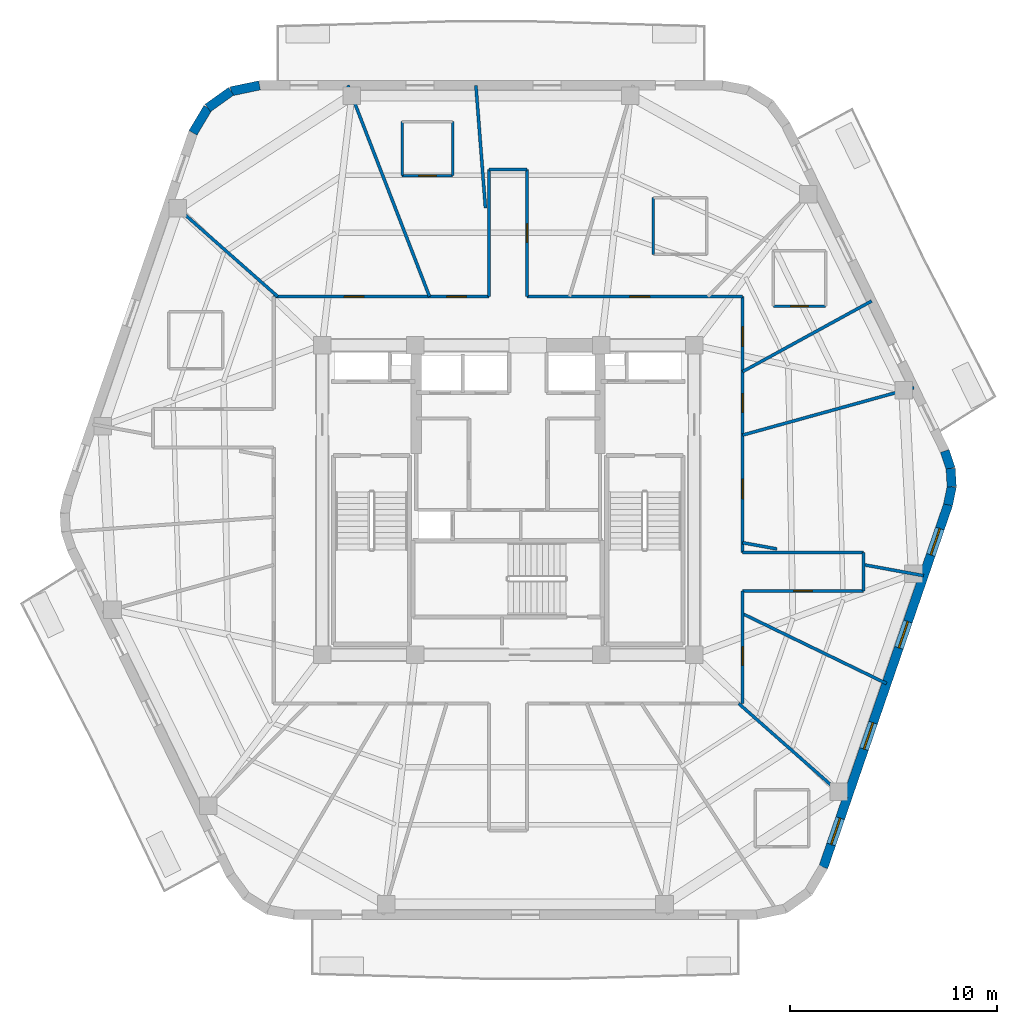
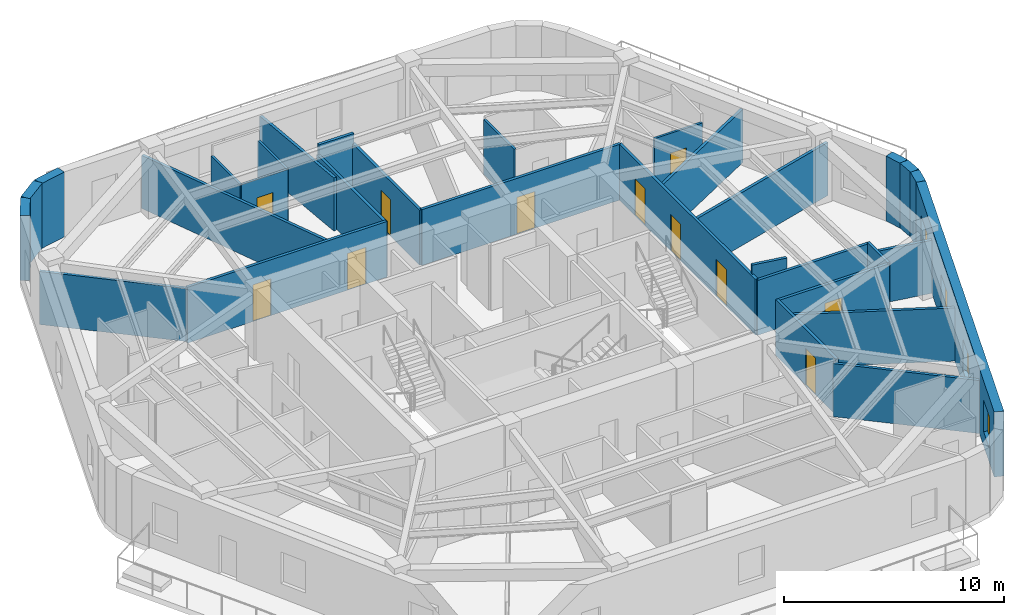
# One storey, part 5 of 9: 31 walls, 11 doors, 4 windows, 15 openings.
"""IFC4 building model written with IfcOpenShell, lengths in metres."""

from ifc_helpers import new_model, si_unit, direction, frame, frame_2d, origin, place, context, subcontext, project, spatial, rectangle, extrude, material, layer, layer_set, type_object, element, fill, save


model = new_model("IFC4")

# Units and contexts
model_context = context("Model", 3, precision=1e-05, world=origin(), true_north=direction((0.0, 1.0)))
body_context = subcontext(model_context, "Body", "Model", "MODEL_VIEW")
ifc_project = project(units=[si_unit("LENGTHUNIT", "METRE"), si_unit("AREAUNIT", "SQUARE_METRE"), si_unit("VOLUMEUNIT", "CUBIC_METRE"), si_unit("PLANEANGLEUNIT", "RADIAN"), si_unit("MASSUNIT", "GRAM", prefix="KILO")], contexts=[model_context])

# Site, building, storey
site_placement = place(None, origin())
site = spatial("IfcSite", under=ifc_project, at=site_placement, CompositionType="ELEMENT")
building_placement = place(site_placement, origin())
building = spatial("IfcBuilding", under=site, at=building_placement, Name="Kilnhurst Terrace Hotel", CompositionType="ELEMENT")
storey_placement = place(building_placement, frame((0.0, 0.0, 280.800048828125)))
storey = spatial("IfcBuildingStorey", under=building, at=storey_placement, Name="L70", CompositionType="ELEMENT", Elevation=280.800048828125)

# Walls
ifc_material_1 = material(Name="Precast concrete C40/50", Category="concrete")
ifc_layer_1 = layer(ifc_material_1, 0.449951171875, Name="Precast concrete C40/50")
ifc_layer_set_1 = layer_set([ifc_layer_1], Name="Precast concrete C40/50")
wall_type_1 = type_object("IfcWallType", Name="WL-BRK-450", PredefinedType="SOLIDWALL", material=ifc_layer_set_1)
wall_1_placement = place(storey_placement, frame((21.297607421875, -0.2333984375, 0.0), z_axis=(0.0, 0.0, 1.0), x_axis=(0.199158176661, 0.979967356941, 0.0)))
element("IfcWall", 1, at=wall_1_placement, inside=storey, type_object=wall_type_1, Name="L70 Rounded Corner Brick Wall C3.1", PredefinedType="SOLIDWALL", context=body_context, shape_type="SweptSolid", body=[
    extrude(rectangle(XDim=0.894775390625, YDim=0.449951171875, at=frame_2d((0.447265625, 0.0))), origin(), (0.0, 0.0, 1.0), 3.599853515625),
])
wall_2_placement = place(storey_placement, frame((21.475830078125, 0.6435546875, 0.0), z_axis=(0.0, 0.0, 1.0), x_axis=(-0.061031097918, 0.998135865044, 0.0)))
element("IfcWall", 2, at=wall_2_placement, inside=storey, type_object=wall_type_1, Name="L70 Rounded Corner Brick Wall C3.2", PredefinedType="SOLIDWALL", context=body_context, shape_type="SweptSolid", body=[
    extrude(rectangle(XDim=0.880126953125, YDim=0.449951171875, at=frame_2d((0.43994140625, 0.0))), origin(), (0.0, 0.0, 1.0), 3.599853515625),
])
wall_3_placement = place(storey_placement, frame((21.422119140625, 1.52197265625, 0.0), z_axis=(0.0, 0.0, 1.0), x_axis=(-0.316964162323, 0.94843751497, 0.0)))
element("IfcWall", 3, at=wall_3_placement, inside=storey, type_object=wall_type_1, Name="L70 Rounded Corner Brick Wall C3.3", PredefinedType="SOLIDWALL", context=body_context, shape_type="SweptSolid", body=[
    extrude(rectangle(XDim=0.89501953125, YDim=0.449951171875, at=frame_2d((0.447509765625, 0.0))), origin(), (0.0, 0.0, 1.0), 3.599853515625),
])
wall_4_placement = place(storey_placement, frame((-12.038330078125, 20.074951171875, 0.0), z_axis=(0.0, 0.0, 1.0), x_axis=(-0.978750122553, -0.205056571711, 0.0)))
element("IfcWall", 4, at=wall_4_placement, inside=storey, type_object=wall_type_1, Name="L70 Rounded Corner Brick Wall C5.1", PredefinedType="SOLIDWALL", context=body_context, shape_type="SweptSolid", body=[
    extrude(rectangle(XDim=1.406005859375, YDim=0.449951171875, at=frame_2d((0.703125, 0.0))), origin(), (0.0, 0.0, 1.0), 3.599853515625),
])
wall_5_placement = place(storey_placement, frame((-13.41455078125, 19.78662109375, 0.0), z_axis=(0.0, 0.0, 1.0), x_axis=(-0.814055493997, -0.580787097561, 0.0)))
element("IfcWall", 5, at=wall_5_placement, inside=storey, type_object=wall_type_1, Name="L70 Rounded Corner Brick Wall C5.2", PredefinedType="SOLIDWALL", context=body_context, shape_type="SweptSolid", body=[
    extrude(rectangle(XDim=1.382568359375, YDim=0.449951171875, at=frame_2d((0.69140625, 0.0))), origin(), (0.0, 0.0, 1.0), 3.599853515625),
])
wall_6_placement = place(storey_placement, frame((-14.5400390625, 18.983642578125, 0.0), z_axis=(0.0, 0.0, 1.0), x_axis=(-0.512374906623, -0.858761873317, 0.0)))
element("IfcWall", 6, at=wall_6_placement, inside=storey, type_object=wall_type_1, Name="L70 Rounded Corner Brick Wall C5.3", PredefinedType="SOLIDWALL", context=body_context, shape_type="SweptSolid", body=[
    extrude(rectangle(XDim=1.406005859375, YDim=0.449951171875, at=frame_2d((0.703125, 0.0))), origin(), (0.0, 0.0, 1.0), 3.599853515625),
])

# Wall, openings, windows
wall_7_placement = place(storey_placement, frame((15.260498046875, -17.776123046875, 0.0), z_axis=(0.0, 0.0, 1.0), x_axis=(0.325407437101, 0.945573899745, 0.0)))
wall_7 = element("IfcWall", 7, at=wall_7_placement, inside=storey, type_object=wall_type_1, Name="L70 Exterior Brick Facade Wall F2", PredefinedType="SOLIDWALL", context=body_context, shape_type="SweptSolid", body=[
    extrude(rectangle(XDim=18.552490234375, YDim=0.449951171875, at=frame_2d((9.2763671875, 0.0))), origin(), (0.0, 0.0, 1.0), 3.599853515625),
])
opening_1_placement = place(wall_7_placement, frame((1.160888671875, 0.0, 0.800048828125)))
opening_1 = element("IfcOpeningElement", 8, at=opening_1_placement, cuts=wall_7, Name="Opening W-06", PredefinedType="OPENING", context=body_context, shape_type="SweptSolid", body=[
    extrude(rectangle(XDim=1.35009765625, YDim=1.75, at=frame_2d((0.675048828125, 0.875))), frame((0.0, 0.23486328125, 0.0), z_axis=(0.0, -1.0, 0.0), x_axis=(1.0, 0.0, 0.0)), (0.0, 0.0, 1.0), 0.469970703125),
])
opening_2_placement = place(wall_7_placement, frame((6.0458984375, 0.0, 0.800048828125)))
opening_2 = element("IfcOpeningElement", 9, at=opening_2_placement, cuts=wall_7, Name="Opening W-06", PredefinedType="OPENING", context=body_context, shape_type="SweptSolid", body=[
    extrude(rectangle(XDim=1.35009765625, YDim=1.75, at=frame_2d((0.675048828125, 0.875))), frame((0.0, 0.23486328125, 0.0), z_axis=(0.0, -1.0, 0.0), x_axis=(1.0, 0.0, 0.0)), (0.0, 0.0, 1.0), 0.469970703125),
])
opening_3_placement = place(wall_7_placement, frame((11.22802734375, 0.0, 0.800048828125)))
opening_3 = element("IfcOpeningElement", 10, at=opening_3_placement, cuts=wall_7, Name="Opening W-06", PredefinedType="OPENING", context=body_context, shape_type="SweptSolid", body=[
    extrude(rectangle(XDim=1.35009765625, YDim=1.75, at=frame_2d((0.675048828125, 0.875))), frame((0.0, 0.23486328125, 0.0), z_axis=(0.0, -1.0, 0.0), x_axis=(1.0, 0.0, 0.0)), (0.0, 0.0, 1.0), 0.469970703125),
])
opening_4_placement = place(wall_7_placement, frame((15.987060546875, 0.0, 0.800048828125)))
opening_4 = element("IfcOpeningElement", 11, at=opening_4_placement, cuts=wall_7, Name="Opening W-06", PredefinedType="OPENING", context=body_context, shape_type="SweptSolid", body=[
    extrude(rectangle(XDim=1.35009765625, YDim=1.75, at=frame_2d((0.675048828125, 0.875))), frame((0.0, 0.23486328125, 0.0), z_axis=(0.0, -1.0, 0.0), x_axis=(1.0, 0.0, 0.0)), (0.0, 0.0, 1.0), 0.469970703125),
])
ifc_material_2 = material(Name="Thermally Broken Bronze Aluminium Alloy 6063-T6 and Low-E Glass", Category="aluminium")
window_type = type_object("IfcWindowType", Name="WIN-1350X1750", PartitioningType="SINGLE_PANEL", PredefinedType="WINDOW", material=ifc_material_2)
window_1_placement = place(opening_1_placement, origin())
window_1 = element("IfcWindow", 12, at=window_1_placement, inside=storey, type_object=window_type, Name="L70 Deep-Set Masonry Window F2.1", OverallHeight=1.75, OverallWidth=1.35009765625, PartitioningType="SINGLE_PANEL", PredefinedType="WINDOW", context=body_context, shape_type="SweptSolid", body=[
    extrude(rectangle(XDim=1.35009765625, YDim=1.75, at=frame_2d((0.675048828125, 0.875))), frame((0.0, 0.030029296875, 0.0), z_axis=(0.0, -1.0, 0.0), x_axis=(1.0, 0.0, 0.0)), (0.0, 0.0, 1.0), 0.06005859375),
])
fill(opening_1, window_1)
window_2_placement = place(opening_2_placement, origin())
window_2 = element("IfcWindow", 13, at=window_2_placement, inside=storey, type_object=window_type, Name="L70 Deep-Set Masonry Window F2.2", OverallHeight=1.75, OverallWidth=1.35009765625, PartitioningType="SINGLE_PANEL", PredefinedType="WINDOW", context=body_context, shape_type="SweptSolid", body=[
    extrude(rectangle(XDim=1.35009765625, YDim=1.75, at=frame_2d((0.675048828125, 0.875))), frame((0.0, 0.030029296875, 0.0), z_axis=(0.0, -1.0, 0.0), x_axis=(1.0, 0.0, 0.0)), (0.0, 0.0, 1.0), 0.06005859375),
])
fill(opening_2, window_2)
window_3_placement = place(opening_3_placement, origin())
window_3 = element("IfcWindow", 14, at=window_3_placement, inside=storey, type_object=window_type, Name="L70 Deep-Set Masonry Window F2.3", OverallHeight=1.75, OverallWidth=1.35009765625, PartitioningType="SINGLE_PANEL", PredefinedType="WINDOW", context=body_context, shape_type="SweptSolid", body=[
    extrude(rectangle(XDim=1.35009765625, YDim=1.75, at=frame_2d((0.675048828125, 0.875))), frame((0.0, 0.030029296875, 0.0), z_axis=(0.0, -1.0, 0.0), x_axis=(1.0, 0.0, 0.0)), (0.0, 0.0, 1.0), 0.06005859375),
])
fill(opening_3, window_3)
window_4_placement = place(opening_4_placement, origin())
window_4 = element("IfcWindow", 15, at=window_4_placement, inside=storey, type_object=window_type, Name="L70 Deep-Set Masonry Window F2.4", OverallHeight=1.75, OverallWidth=1.35009765625, PartitioningType="SINGLE_PANEL", PredefinedType="WINDOW", context=body_context, shape_type="SweptSolid", body=[
    extrude(rectangle(XDim=1.35009765625, YDim=1.75, at=frame_2d((0.675048828125, 0.875))), frame((0.0, 0.030029296875, 0.0), z_axis=(0.0, -1.0, 0.0), x_axis=(1.0, 0.0, 0.0)), (0.0, 0.0, 1.0), 0.06005859375),
])
fill(opening_4, window_4)

# Wall, openings, doors
ifc_material_3 = material(Name="Acoustic Double-Gypsum Corridor Partition Assembly")
ifc_layer_2 = layer(ifc_material_3, 0.14990234375, Name="Acoustic Double-Gypsum Corridor Partition Assembly")
ifc_layer_set_2 = layer_set([ifc_layer_2], Name="Acoustic Double-Gypsum Corridor Partition Assembly")
wall_type_2 = type_object("IfcWallType", Name="WL-COR-150", PredefinedType="PARTITIONING", material=ifc_layer_set_2)
wall_8_placement = place(storey_placement, frame((-11.35009765625, 9.85009765625, 0.0), z_axis=(0.0, 0.0, 1.0), x_axis=(1.0, 0.0, 0.0)))
wall_8 = element("IfcWall", 16, at=wall_8_placement, inside=storey, type_object=wall_type_2, Name="L70 Interior Wall WL-L70-COR-06", PredefinedType="PARTITIONING", context=body_context, shape_type="SweptSolid", body=[
    extrude(rectangle(XDim=10.43017578125, YDim=0.14990234375, at=frame_2d((5.215087890625, 0.0))), origin(), (0.0, 0.0, 1.0), 3.08984375),
])
opening_5_placement = place(wall_8_placement, frame((8.382080078125, 0.0, 0.0)))
opening_5 = element("IfcOpeningElement", 17, at=opening_5_placement, cuts=wall_8, Name="Opening D-60B", PredefinedType="OPENING", context=body_context, shape_type="SweptSolid", body=[
    extrude(rectangle(XDim=0.949951171875, YDim=2.030029296875, at=frame_2d((0.47509765625, 1.01513671875))), frame((0.0, 0.0849609375, 0.0), z_axis=(0.0, -1.0, 0.0), x_axis=(1.0, 0.0, 0.0)), (0.0, 0.0, 1.0), 0.169921875),
])
opening_6_placement = place(wall_8_placement, frame((3.416015625, 0.0, 0.0)))
opening_6 = element("IfcOpeningElement", 18, at=opening_6_placement, cuts=wall_8, Name="Opening D-60B", PredefinedType="OPENING", context=body_context, shape_type="SweptSolid", body=[
    extrude(rectangle(XDim=0.949951171875, YDim=2.030029296875, at=frame_2d((0.47509765625, 1.01513671875))), frame((0.0, 0.0849609375, 0.0), z_axis=(0.0, -1.0, 0.0), x_axis=(1.0, 0.0, 0.0)), (0.0, 0.0, 1.0), 0.169921875),
])
ifc_material_4 = material(Name="Acoustic Walnut Veneer Solid-Core Fire Door")
door_type_1 = type_object("IfcDoorType", Name="DR-FD60-950", OperationType="NOTDEFINED", PredefinedType="DOOR", material=ifc_material_4)
door_1_placement = place(opening_5_placement, origin())
door_1 = element("IfcDoor", 19, at=door_1_placement, inside=storey, type_object=door_type_1, Name="L70 Guest Room Entry Door 5", OperationType="SINGLE_SWING_LEFT", OverallHeight=2.030029296875, OverallWidth=0.949951171875, PredefinedType="DOOR", context=body_context, shape_type="SweptSolid", body=[
    extrude(rectangle(XDim=0.949951171875, YDim=2.030029296875, at=frame_2d((0.47509765625, 1.01513671875))), frame((0.0, 0.02490234375, 0.0), z_axis=(0.0, -1.0, 0.0), x_axis=(1.0, 0.0, 0.0)), (0.0, 0.0, 1.0), 0.050048828125),
])
fill(opening_5, door_1)
door_2_placement = place(opening_6_placement, origin())
door_2 = element("IfcDoor", 20, at=door_2_placement, inside=storey, type_object=door_type_1, Name="L70 Private Dining Salon Door", OperationType="SINGLE_SWING_RIGHT", OverallHeight=2.030029296875, OverallWidth=0.949951171875, PredefinedType="DOOR", context=body_context, shape_type="SweptSolid", body=[
    extrude(rectangle(XDim=0.949951171875, YDim=2.030029296875, at=frame_2d((0.47509765625, 1.01513671875))), frame((0.0, 0.02490234375, 0.0), z_axis=(0.0, -1.0, 0.0), x_axis=(1.0, 0.0, 0.0)), (0.0, 0.0, 1.0), 0.050048828125),
])
fill(opening_6, door_2)

# Walls
wall_9_placement = place(storey_placement, frame((-0.919921875, 9.85009765625, 0.0), z_axis=(0.0, 0.0, 1.0), x_axis=(0.0, 1.0, 0.0)))
element("IfcWall", 21, at=wall_9_placement, inside=storey, type_object=wall_type_2, Name="L70 Interior Wall WL-L70-COR-07", PredefinedType="PARTITIONING", context=body_context, shape_type="SweptSolid", body=[
    extrude(rectangle(XDim=6.14990234375, YDim=0.14990234375, at=frame_2d((3.074951171875, 0.0))), origin(), (0.0, 0.0, 1.0), 3.04052734375),
])
wall_10_placement = place(storey_placement, frame((-0.919921875, 16.0, 0.0), z_axis=(0.0, 0.0, 1.0), x_axis=(1.0, 0.0, 0.0)))
element("IfcWall", 22, at=wall_10_placement, inside=storey, type_object=wall_type_2, Name="L70 Interior Wall WL-L70-COR-08", PredefinedType="PARTITIONING", context=body_context, shape_type="SweptSolid", body=[
    extrude(rectangle(XDim=1.83984375, YDim=0.14990234375, at=frame_2d((0.919921875, 0.0))), origin(), (0.0, 0.0, 1.0), 3.599853515625),
])

# Wall, opening, door
wall_11_placement = place(storey_placement, frame((0.919921875, 16.0, 0.0), z_axis=(0.0, 0.0, 1.0), x_axis=(0.0, -1.0, 0.0)))
wall_11 = element("IfcWall", 23, at=wall_11_placement, inside=storey, type_object=wall_type_2, Name="L70 Interior Wall WL-L70-COR-09", PredefinedType="PARTITIONING", context=body_context, shape_type="SweptSolid", body=[
    extrude(rectangle(XDim=6.14990234375, YDim=0.14990234375, at=frame_2d((3.074951171875, 0.0))), origin(), (0.0, 0.0, 1.0), 3.04052734375),
])
opening_7_placement = place(wall_11_placement, frame((2.625, 0.0, 0.0)))
opening_7 = element("IfcOpeningElement", 24, at=opening_7_placement, cuts=wall_11, Name="Opening D-60C", PredefinedType="OPENING", context=body_context, shape_type="SweptSolid", body=[
    extrude(rectangle(XDim=0.89990234375, YDim=2.030029296875, at=frame_2d((0.449951171875, 1.01513671875))), frame((0.0, 0.0849609375, 0.0), z_axis=(0.0, -1.0, 0.0), x_axis=(1.0, 0.0, 0.0)), (0.0, 0.0, 1.0), 0.169921875),
])
ifc_material_5 = material(Name="Painted Solid-Core Service Fire Door")
door_type_2 = type_object("IfcDoorType", Name="DR-FD60-900", OperationType="NOTDEFINED", PredefinedType="DOOR", material=ifc_material_5)
door_3_placement = place(opening_7_placement, origin())
door_3 = element("IfcDoor", 25, at=door_3_placement, inside=storey, type_object=door_type_2, Name="L70 Executive Work Office Door 4", OperationType="SINGLE_SWING_RIGHT", OverallHeight=2.030029296875, OverallWidth=0.89990234375, PredefinedType="DOOR", context=body_context, shape_type="SweptSolid", body=[
    extrude(rectangle(XDim=0.89990234375, YDim=2.030029296875, at=frame_2d((0.449951171875, 1.01513671875))), frame((0.0, 0.02490234375, 0.0), z_axis=(0.0, -1.0, 0.0), x_axis=(1.0, 0.0, 0.0)), (0.0, 0.0, 1.0), 0.050048828125),
])
fill(opening_7, door_3)

wall_12_placement = place(storey_placement, frame((0.919921875, 9.85009765625, 0.0), z_axis=(0.0, 0.0, 1.0), x_axis=(1.0, 0.0, 0.0)))
wall_12 = element("IfcWall", 26, at=wall_12_placement, inside=storey, type_object=wall_type_2, Name="L70 Interior Wall WL-L70-COR-10", PredefinedType="PARTITIONING", context=body_context, shape_type="SweptSolid", body=[
    extrude(rectangle(XDim=10.43017578125, YDim=0.14990234375, at=frame_2d((5.215087890625, 0.0))), origin(), (0.0, 0.0, 1.0), 3.08984375),
])
opening_8_placement = place(wall_12_placement, frame((4.97509765625, 0.0, 0.0)))
opening_8 = element("IfcOpeningElement", 27, at=opening_8_placement, cuts=wall_12, Name="Opening D-60B", PredefinedType="OPENING", context=body_context, shape_type="SweptSolid", body=[
    extrude(rectangle(XDim=0.949951171875, YDim=2.030029296875, at=frame_2d((0.47509765625, 1.01513671875))), frame((0.0, 0.0849609375, 0.0), z_axis=(0.0, -1.0, 0.0), x_axis=(1.0, 0.0, 0.0)), (0.0, 0.0, 1.0), 0.169921875),
])
door_4_placement = place(opening_8_placement, origin())
door_4 = element("IfcDoor", 28, at=door_4_placement, inside=storey, type_object=door_type_1, Name="L70 Executive Suite Entry Door 3", OperationType="SINGLE_SWING_LEFT", OverallHeight=2.030029296875, OverallWidth=0.949951171875, PredefinedType="DOOR", context=body_context, shape_type="SweptSolid", body=[
    extrude(rectangle(XDim=0.949951171875, YDim=2.030029296875, at=frame_2d((0.47509765625, 1.01513671875))), frame((0.0, 0.02490234375, 0.0), z_axis=(0.0, -1.0, 0.0), x_axis=(1.0, 0.0, 0.0)), (0.0, 0.0, 1.0), 0.050048828125),
])
fill(opening_8, door_4)

# Wall, openings, doors
wall_13_placement = place(storey_placement, frame((11.35009765625, 9.85009765625, 0.0), z_axis=(0.0, 0.0, 1.0), x_axis=(0.0, -1.0, 0.0)))
wall_13 = element("IfcWall", 29, at=wall_13_placement, inside=storey, type_object=wall_type_2, Name="L70 Interior Wall WL-L70-COR-11", PredefinedType="PARTITIONING", context=body_context, shape_type="SweptSolid", body=[
    extrude(rectangle(XDim=12.400146484375, YDim=0.14990234375, at=frame_2d((6.2001953125, 0.0))), origin(), (0.0, 0.0, 1.0), 3.08984375),
])
opening_9_placement = place(wall_13_placement, frame((4.705078125, 0.0, 0.0)))
opening_9 = element("IfcOpeningElement", 30, at=opening_9_placement, cuts=wall_13, Name="Opening D-60C", PredefinedType="OPENING", context=body_context, shape_type="SweptSolid", body=[
    extrude(rectangle(XDim=0.89990234375, YDim=2.030029296875, at=frame_2d((0.449951171875, 1.01513671875))), frame((0.0, 0.0849609375, 0.0), z_axis=(0.0, -1.0, 0.0), x_axis=(1.0, 0.0, 0.0)), (0.0, 0.0, 1.0), 0.169921875),
])
opening_10_placement = place(wall_13_placement, frame((1.462890625, 0.0, 0.0)))
opening_10 = element("IfcOpeningElement", 31, at=opening_10_placement, cuts=wall_13, Name="Opening D-60B", PredefinedType="OPENING", context=body_context, shape_type="SweptSolid", body=[
    extrude(rectangle(XDim=0.949951171875, YDim=2.030029296875, at=frame_2d((0.47509765625, 1.01513671875))), frame((0.0, 0.0849609375, 0.0), z_axis=(0.0, -1.0, 0.0), x_axis=(1.0, 0.0, 0.0)), (0.0, 0.0, 1.0), 0.169921875),
])
opening_11_placement = place(wall_13_placement, frame((8.8349609375, 0.0, 0.0)))
opening_11 = element("IfcOpeningElement", 32, at=opening_11_placement, cuts=wall_13, Name="Opening D-60B", PredefinedType="OPENING", context=body_context, shape_type="SweptSolid", body=[
    extrude(rectangle(XDim=0.949951171875, YDim=2.030029296875, at=frame_2d((0.47509765625, 1.01513671875))), frame((0.0, 0.0849609375, 0.0), z_axis=(0.0, -1.0, 0.0), x_axis=(1.0, 0.0, 0.0)), (0.0, 0.0, 1.0), 0.169921875),
])
door_5_placement = place(opening_9_placement, origin())
door_5 = element("IfcDoor", 33, at=door_5_placement, inside=storey, type_object=door_type_2, Name="L70 Private Study Salon Door 1", OperationType="SINGLE_SWING_LEFT", OverallHeight=2.030029296875, OverallWidth=0.89990234375, PredefinedType="DOOR", context=body_context, shape_type="SweptSolid", body=[
    extrude(rectangle(XDim=0.89990234375, YDim=2.030029296875, at=frame_2d((0.449951171875, 1.01513671875))), frame((0.0, 0.02490234375, 0.0), z_axis=(0.0, -1.0, 0.0), x_axis=(1.0, 0.0, 0.0)), (0.0, 0.0, 1.0), 0.050048828125),
])
fill(opening_9, door_5)
door_6_placement = place(opening_10_placement, origin())
door_6 = element("IfcDoor", 34, at=door_6_placement, inside=storey, type_object=door_type_1, Name="L70 Guest Room Entry Door 2", OperationType="SINGLE_SWING_RIGHT", OverallHeight=2.030029296875, OverallWidth=0.949951171875, PredefinedType="DOOR", context=body_context, shape_type="SweptSolid", body=[
    extrude(rectangle(XDim=0.949951171875, YDim=2.030029296875, at=frame_2d((0.47509765625, 1.01513671875))), frame((0.0, 0.02490234375, 0.0), z_axis=(0.0, -1.0, 0.0), x_axis=(1.0, 0.0, 0.0)), (0.0, 0.0, 1.0), 0.050048828125),
])
fill(opening_10, door_6)
door_7_placement = place(opening_11_placement, origin())
door_7 = element("IfcDoor", 35, at=door_7_placement, inside=storey, type_object=door_type_1, Name="L70 Executive Boardroom Door", OperationType="SINGLE_SWING_RIGHT", OverallHeight=2.030029296875, OverallWidth=0.949951171875, PredefinedType="DOOR", context=body_context, shape_type="SweptSolid", body=[
    extrude(rectangle(XDim=0.949951171875, YDim=2.030029296875, at=frame_2d((0.47509765625, 1.01513671875))), frame((0.0, 0.02490234375, 0.0), z_axis=(0.0, -1.0, 0.0), x_axis=(1.0, 0.0, 0.0)), (0.0, 0.0, 1.0), 0.050048828125),
])
fill(opening_11, door_7)

# Walls
wall_14_placement = place(storey_placement, frame((11.35009765625, -2.550048828125, 0.0), z_axis=(0.0, 0.0, 1.0), x_axis=(1.0, 0.0, 0.0)))
element("IfcWall", 36, at=wall_14_placement, inside=storey, type_object=wall_type_2, Name="L70 Interior Wall WL-L70-COR-12", PredefinedType="PARTITIONING", context=body_context, shape_type="SweptSolid", body=[
    extrude(rectangle(XDim=5.849853515625, YDim=0.14990234375, at=frame_2d((2.9248046875, 0.0))), origin(), (0.0, 0.0, 1.0), 3.04052734375),
])
wall_15_placement = place(storey_placement, frame((17.199951171875, -2.550048828125, 0.0), z_axis=(0.0, 0.0, 1.0), x_axis=(0.0, -1.0, 0.0)))
element("IfcWall", 37, at=wall_15_placement, inside=storey, type_object=wall_type_2, Name="L70 Interior Wall WL-L70-COR-13", PredefinedType="PARTITIONING", context=body_context, shape_type="SweptSolid", body=[
    extrude(rectangle(XDim=1.849853515625, YDim=0.14990234375, at=frame_2d((0.9248046875, 0.0))), origin(), (0.0, 0.0, 1.0), 3.08984375),
])

# Wall, opening, door
wall_16_placement = place(storey_placement, frame((17.199951171875, -4.39990234375, 0.0), z_axis=(0.0, 0.0, 1.0), x_axis=(-1.0, 0.0, 0.0)))
wall_16 = element("IfcWall", 38, at=wall_16_placement, inside=storey, type_object=wall_type_2, Name="L70 Interior Wall WL-L70-COR-14", PredefinedType="PARTITIONING", context=body_context, shape_type="SweptSolid", body=[
    extrude(rectangle(XDim=5.849853515625, YDim=0.14990234375, at=frame_2d((2.9248046875, 0.0))), origin(), (0.0, 0.0, 1.0), 3.04052734375),
])
opening_12_placement = place(wall_16_placement, frame((2.47509765625, 0.0, 0.0)))
opening_12 = element("IfcOpeningElement", 39, at=opening_12_placement, cuts=wall_16, Name="Opening D-60C", PredefinedType="OPENING", context=body_context, shape_type="SweptSolid", body=[
    extrude(rectangle(XDim=0.89990234375, YDim=2.030029296875, at=frame_2d((0.449951171875, 1.01513671875))), frame((0.0, 0.0849609375, 0.0), z_axis=(0.0, -1.0, 0.0), x_axis=(1.0, 0.0, 0.0)), (0.0, 0.0, 1.0), 0.169921875),
])
door_8_placement = place(opening_12_placement, origin())
door_8 = element("IfcDoor", 40, at=door_8_placement, inside=storey, type_object=door_type_2, Name="L70 Botanical Reading Lounge Door 17", OperationType="SINGLE_SWING_LEFT", OverallHeight=2.030029296875, OverallWidth=0.89990234375, PredefinedType="DOOR", context=body_context, shape_type="SweptSolid", body=[
    extrude(rectangle(XDim=0.89990234375, YDim=2.030029296875, at=frame_2d((0.449951171875, 1.01513671875))), frame((0.0, 0.02490234375, 0.0), z_axis=(0.0, -1.0, 0.0), x_axis=(1.0, 0.0, 0.0)), (0.0, 0.0, 1.0), 0.050048828125),
])
fill(opening_12, door_8)

wall_17_placement = place(storey_placement, frame((11.35009765625, -4.39990234375, 0.0), z_axis=(0.0, 0.0, 1.0), x_axis=(0.0, -1.0, 0.0)))
wall_17 = element("IfcWall", 41, at=wall_17_placement, inside=storey, type_object=wall_type_2, Name="L70 Interior Wall WL-L70-COR-15", PredefinedType="PARTITIONING", context=body_context, shape_type="SweptSolid", body=[
    extrude(rectangle(XDim=5.4501953125, YDim=0.14990234375, at=frame_2d((2.72509765625, 0.0))), origin(), (0.0, 0.0, 1.0), 3.08984375),
])
opening_13_placement = place(wall_17_placement, frame((2.7080078125, 0.0, 0.0)))
opening_13 = element("IfcOpeningElement", 42, at=opening_13_placement, cuts=wall_17, Name="Opening D-60C", PredefinedType="OPENING", context=body_context, shape_type="SweptSolid", body=[
    extrude(rectangle(XDim=0.89990234375, YDim=2.030029296875, at=frame_2d((0.449951171875, 1.01513671875))), frame((0.0, 0.0849609375, 0.0), z_axis=(0.0, -1.0, 0.0), x_axis=(1.0, 0.0, 0.0)), (0.0, 0.0, 1.0), 0.169921875),
])
door_9_placement = place(opening_13_placement, origin())
door_9 = element("IfcDoor", 43, at=door_9_placement, inside=storey, type_object=door_type_2, Name="L70 Executive Work Office Door 16", OperationType="SINGLE_SWING_RIGHT", OverallHeight=2.030029296875, OverallWidth=0.89990234375, PredefinedType="DOOR", context=body_context, shape_type="SweptSolid", body=[
    extrude(rectangle(XDim=0.89990234375, YDim=2.030029296875, at=frame_2d((0.449951171875, 1.01513671875))), frame((0.0, 0.02490234375, 0.0), z_axis=(0.0, -1.0, 0.0), x_axis=(1.0, 0.0, 0.0)), (0.0, 0.0, 1.0), 0.050048828125),
])
fill(opening_13, door_9)

# Walls
ifc_material_6 = material(Name="STC-58 Acoustic Twin-Frame Guestroom Demising Partition")
ifc_layer_3 = layer(ifc_material_6, 0.14990234375, Name="STC-58 Acoustic Twin-Frame Guestroom Demising Partition")
ifc_layer_set_3 = layer_set([ifc_layer_3], Name="STC-58 Acoustic Twin-Frame Guestroom Demising Partition")
wall_type_3 = type_object("IfcWallType", Name="WL-DEM-150", PredefinedType="PARTITIONING", material=ifc_layer_set_3)
wall_18_placement = place(storey_placement, frame((11.35009765625, 3.142822265625, 0.0), z_axis=(0.0, 0.0, 1.0), x_axis=(0.963731818141, 0.266872596386, 0.0)))
element("IfcWall", 44, at=wall_18_placement, inside=storey, type_object=wall_type_3, Name="L70 Interior Wall WL-L70-DEM-COL01-01-1", PredefinedType="PARTITIONING", context=body_context, shape_type="SweptSolid", body=[
    extrude(rectangle(XDim=8.604736328125, YDim=0.14990234375, at=frame_2d((4.30224609375, 0.0))), origin(), (0.0, 0.0, 1.0), 2.93994140625),
])
wall_19_placement = place(storey_placement, frame((11.35009765625, 6.213134765625, 0.0), z_axis=(0.0, 0.0, 1.0), x_axis=(0.877157109774, 0.480203503499, 0.0)))
element("IfcWall", 45, at=wall_19_placement, inside=storey, type_object=wall_type_3, Name="L70 Interior Wall WL-L70-DEM-MID01-02-1", PredefinedType="PARTITIONING", context=body_context, shape_type="SweptSolid", body=[
    extrude(rectangle(XDim=7.123291015625, YDim=0.14990234375, at=frame_2d((3.5615234375, 0.0))), origin(), (0.0, 0.0, 1.0), 2.93994140625),
])
wall_20_placement = place(storey_placement, frame((-1.10009765625, 14.1416015625, 0.0), z_axis=(0.0, 0.0, 1.0), x_axis=(-0.077534071454, 0.996989702938, 0.0)))
element("IfcWall", 46, at=wall_20_placement, inside=storey, type_object=wall_type_3, Name="L70 Interior Wall WL-L70-DEM-MID03-05-1", PredefinedType="PARTITIONING", context=body_context, shape_type="SweptSolid", body=[
    extrude(rectangle(XDim=5.951171875, YDim=0.14990234375, at=frame_2d((2.9755859375, 0.0))), origin(), (0.0, 0.0, 1.0), 2.93994140625),
])
wall_21_placement = place(storey_placement, frame((-3.8076171875, 9.85009765625, 0.0), z_axis=(0.0, 0.0, 1.0), x_axis=(-0.360587327934, 0.932725457427, 0.0)))
element("IfcWall", 47, at=wall_21_placement, inside=storey, type_object=wall_type_3, Name="L70 Interior Wall WL-L70-DEM-COL04-06-1", PredefinedType="PARTITIONING", context=body_context, shape_type="SweptSolid", body=[
    extrude(rectangle(XDim=10.96240234375, YDim=0.14990234375, at=frame_2d((5.481201171875, 0.0))), origin(), (0.0, 0.0, 1.0), 2.93994140625),
])
for number, where, z_axis, x_axis, name in (
    (48, (-11.1572265625, 9.85009765625, 0.0), (0.0, 0.0, 1.0), (-0.74966962095, 0.661812253909, 0.0), "L70 Interior Wall WL-L70-DEM-COL05-07-1"),
    (49, (11.1572265625, -9.85009765625, 0.0), (0.0, 0.0, 1.0), (0.74966962095, -0.661812253909, 0.0), "L70 Interior Wall WL-L70-DEM-COL11-16-1"),
):
    element("IfcWall", number, at=place(storey_placement, frame(where, z_axis=z_axis, x_axis=x_axis)), inside=storey, type_object=wall_type_3, Name=name, PredefinedType="PARTITIONING", context=body_context, shape_type="SweptSolid", body=[
        extrude(rectangle(XDim=6.98876953125, YDim=0.14990234375, at=frame_2d((3.494384765625, 0.0))), origin(), (0.0, 0.0, 1.0), 2.93994140625),
    ])
wall_22_placement = place(storey_placement, frame((11.35009765625, -5.506591796875, 0.0), z_axis=(0.0, 0.0, 1.0), x_axis=(0.899708724615, -0.436490791256, 0.0)))
element("IfcWall", 50, at=wall_22_placement, inside=storey, type_object=wall_type_3, Name="L70 Interior Wall WL-L70-DEM-MID11-17-1", PredefinedType="PARTITIONING", context=body_context, shape_type="SweptSolid", body=[
    extrude(rectangle(XDim=7.74609375, YDim=0.14990234375, at=frame_2d((3.873046875, 0.0))), origin(), (0.0, 0.0, 1.0), 2.93994140625),
])
wall_23_placement = place(storey_placement, frame((11.35009765625, -2.067138671875, 0.0), z_axis=(0.0, 0.0, 1.0), x_axis=(0.983807459651, -0.179228575665, 0.0)))
element("IfcWall", 51, at=wall_23_placement, inside=storey, type_object=wall_type_3, Name="L70 Interior Wall WL-L70-DEM-COL12-18-1", PredefinedType="PARTITIONING", context=body_context, shape_type="SweptSolid", body=[
    extrude(rectangle(XDim=1.6904296875, YDim=0.14990234375, at=frame_2d((0.84521484375, 0.0))), origin(), (0.0, 0.0, 1.0), 3.599853515625),
])
wall_24_placement = place(storey_placement, frame((17.199951171875, -3.132568359375, 0.0), z_axis=(0.0, 0.0, 1.0), x_axis=(0.983817168797, -0.179175272791, 0.0)))
element("IfcWall", 52, at=wall_24_placement, inside=storey, type_object=wall_type_3, Name="L70 Interior Wall WL-L70-DEM-COL12-18-2", PredefinedType="PARTITIONING", context=body_context, shape_type="SweptSolid", body=[
    extrude(rectangle(XDim=2.965087890625, YDim=0.14990234375, at=frame_2d((1.482421875, 0.0))), origin(), (0.0, 0.0, 1.0), 2.93994140625),
])

# Wall, opening, door
ifc_material_7 = material(Name="120 mm Moisture-Resistant Tile-Backed Bathroom Partition")
ifc_layer_4 = layer(ifc_material_7, 0.1201171875, Name="120 mm Moisture-Resistant Tile-Backed Bathroom Partition")
ifc_layer_set_4 = layer_set([ifc_layer_4], Name="120 mm Moisture-Resistant Tile-Backed Bathroom Partition")
wall_type_4 = type_object("IfcWallType", Name="WL-PART-120", PredefinedType="PARTITIONING", material=ifc_layer_set_4)
wall_25_placement = place(storey_placement, frame((12.845947265625, 9.382080078125, 0.0), z_axis=(0.0, 0.0, 1.0), x_axis=(1.0, 0.0, 0.0)))
wall_25 = element("IfcWall", 53, at=wall_25_placement, inside=storey, type_object=wall_type_4, Name="L70 Interior Wall WL-L70-BTH-02-1", PredefinedType="PARTITIONING", context=body_context, shape_type="SweptSolid", body=[
    extrude(rectangle(XDim=2.52001953125, YDim=0.1201171875, at=frame_2d((1.260009765625, 0.0))), origin(), (0.0, 0.0, 1.0), 3.12646484375),
])
opening_14_placement = place(wall_25_placement, frame((0.8349609375, 0.0, 0.0)))
opening_14 = element("IfcOpeningElement", 54, at=opening_14_placement, cuts=wall_25, Name="Opening D-08A", PredefinedType="OPENING", context=body_context, shape_type="SweptSolid", body=[
    extrude(rectangle(XDim=0.85009765625, YDim=2.030029296875, at=frame_2d((0.425048828125, 1.01513671875))), frame((0.0, 0.070068359375, 0.0), z_axis=(0.0, -1.0, 0.0), x_axis=(1.0, 0.0, 0.0)), (0.0, 0.0, 1.0), 0.14013671875),
])
ifc_material_8 = material(Name="Moisture-Resistant Lacquered En-suite Bathroom Door")
door_type_3 = type_object("IfcDoorType", Name="DR-INT-850", OperationType="NOTDEFINED", PredefinedType="DOOR", material=ifc_material_8)
door_10_placement = place(opening_14_placement, origin())
door_10 = element("IfcDoor", 55, at=door_10_placement, inside=storey, type_object=door_type_3, Name="L70 En-suite Bathroom Door 2", OperationType="SINGLE_SWING_LEFT", OverallHeight=2.030029296875, OverallWidth=0.85009765625, PredefinedType="DOOR", context=body_context, shape_type="SweptSolid", body=[
    extrude(rectangle(XDim=0.85009765625, YDim=2.030029296875, at=frame_2d((0.425048828125, 1.01513671875))), frame((0.0, 0.02490234375, 0.0), z_axis=(0.0, -1.0, 0.0), x_axis=(1.0, 0.0, 0.0)), (0.0, 0.0, 1.0), 0.050048828125),
])
fill(opening_14, door_10)

# Wall
wall_26_placement = place(storey_placement, frame((7.02587890625, 14.639892578125, 0.0), z_axis=(0.0, 0.0, 1.0), x_axis=(0.0, -1.0, 0.0)))
element("IfcWall", 56, at=wall_26_placement, inside=storey, type_object=wall_type_4, Name="L70 Interior Wall WL-L70-BTH-03-4", PredefinedType="PARTITIONING", context=body_context, shape_type="SweptSolid", body=[
    extrude(rectangle(XDim=2.75, YDim=0.1201171875, at=frame_2d((1.375, 0.0))), origin(), (0.0, 0.0, 1.0), 3.04052734375),
])

# Wall, opening, door
wall_27_placement = place(storey_placement, frame((-5.134033203125, 15.7080078125, 0.0), z_axis=(0.0, 0.0, 1.0), x_axis=(1.0, 0.0, 0.0)))
wall_27 = element("IfcWall", 57, at=wall_27_placement, inside=storey, type_object=wall_type_4, Name="L70 Interior Wall WL-L70-BTH-05-1", PredefinedType="PARTITIONING", context=body_context, shape_type="SweptSolid", body=[
    extrude(rectangle(XDim=2.43994140625, YDim=0.1201171875, at=frame_2d((1.219970703125, 0.0))), origin(), (0.0, 0.0, 1.0), 3.04052734375),
])
opening_15_placement = place(wall_27_placement, frame((0.794921875, 0.0, 0.0)))
opening_15 = element("IfcOpeningElement", 58, at=opening_15_placement, cuts=wall_27, Name="Opening D-08A", PredefinedType="OPENING", context=body_context, shape_type="SweptSolid", body=[
    extrude(rectangle(XDim=0.85009765625, YDim=2.030029296875, at=frame_2d((0.425048828125, 1.01513671875))), frame((0.0, 0.070068359375, 0.0), z_axis=(0.0, -1.0, 0.0), x_axis=(1.0, 0.0, 0.0)), (0.0, 0.0, 1.0), 0.14013671875),
])
door_11_placement = place(opening_15_placement, origin())
door_11 = element("IfcDoor", 59, at=door_11_placement, inside=storey, type_object=door_type_3, Name="L70 En-suite Bathroom Door 5", OperationType="SINGLE_SWING_RIGHT", OverallHeight=2.030029296875, OverallWidth=0.85009765625, PredefinedType="DOOR", context=body_context, shape_type="SweptSolid", body=[
    extrude(rectangle(XDim=0.85009765625, YDim=2.030029296875, at=frame_2d((0.425048828125, 1.01513671875))), frame((0.0, 0.02490234375, 0.0), z_axis=(0.0, -1.0, 0.0), x_axis=(1.0, 0.0, 0.0)), (0.0, 0.0, 1.0), 0.050048828125),
])
fill(opening_15, door_11)

# Walls
for number, where, z_axis, x_axis, name in (
    (60, (-2.694091796875, 15.7080078125, 0.0), (0.0, 0.0, 1.0), (0.0, 1.0, 0.0), "L70 Interior Wall WL-L70-BTH-05-2"),
    (61, (-5.134033203125, 18.318115234375, 0.0), (0.0, 0.0, 1.0), (0.0, -1.0, 0.0), "L70 Interior Wall WL-L70-BTH-05-4"),
):
    element("IfcWall", number, at=place(storey_placement, frame(where, z_axis=z_axis, x_axis=x_axis)), inside=storey, type_object=wall_type_4, Name=name, PredefinedType="PARTITIONING", context=body_context, shape_type="SweptSolid", body=[
        extrude(rectangle(XDim=2.610107421875, YDim=0.1201171875, at=frame_2d((1.30517578125, 0.0))), origin(), (0.0, 0.0, 1.0), 3.04052734375),
    ])

save(model, "model.ifc")
